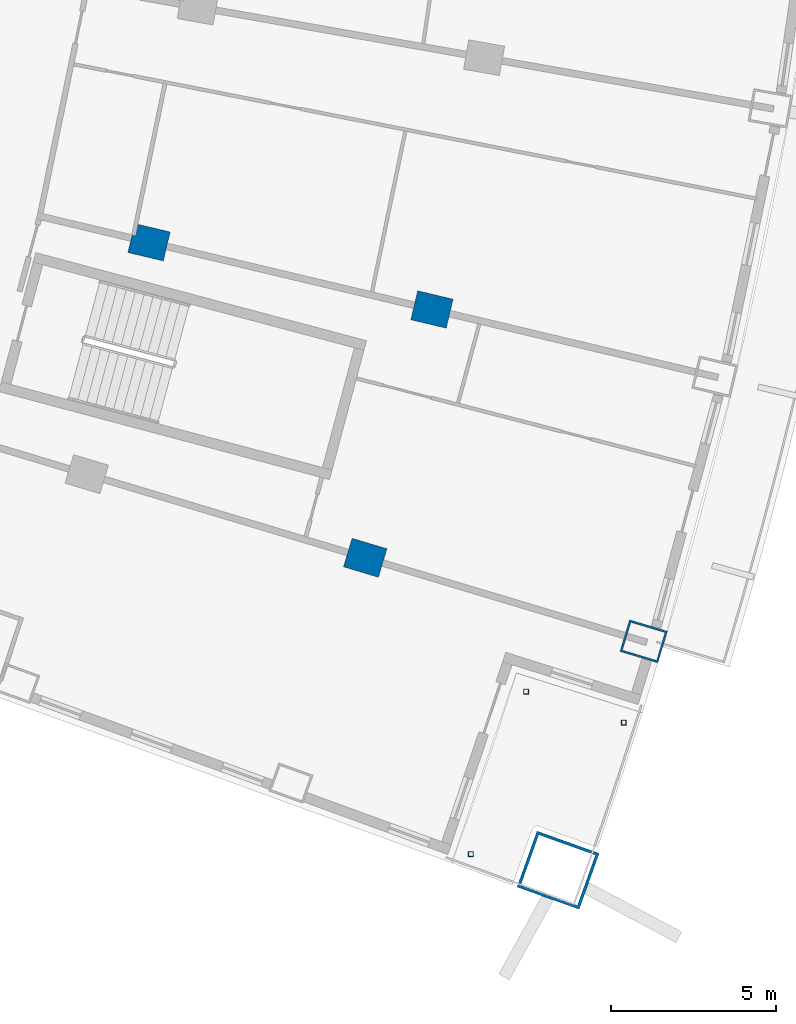
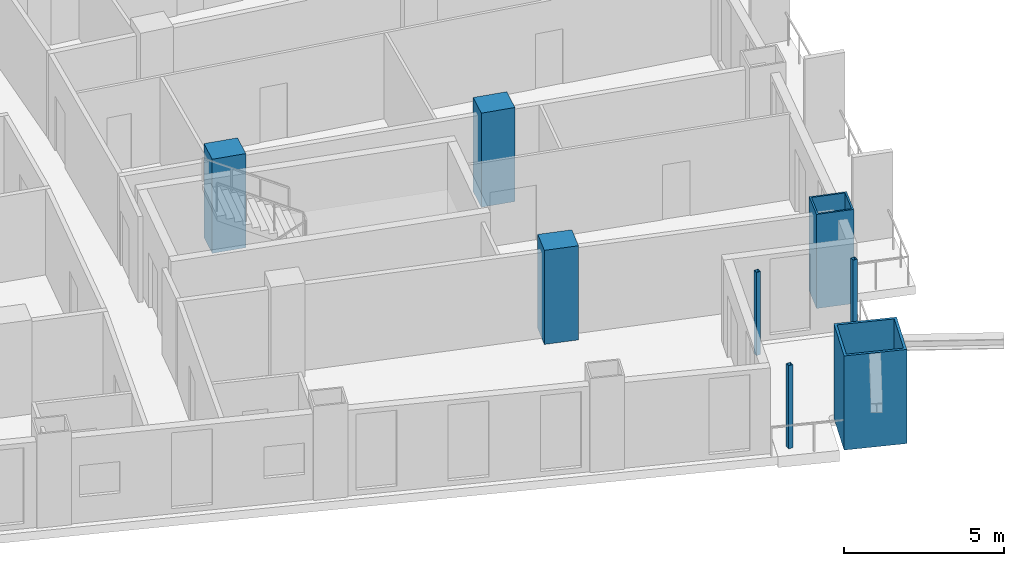
# One storey, part 4 of 23: 8 columns.
"""IFC4 building model written with IfcOpenShell, lengths in metres."""

import ifcopenshell
import ifcopenshell.guid

model = None  # the IFC model being written
_history = None  # IfcOwnerHistory: only IFC2X3 demands one
_inside = {}  # id of a spatial element -> (the spatial element, [elements in it])
_under = {}  # id of a project, library or spatial element -> (it, [spatial elements below it])
_declared = {}  # id of a project -> (the project, [libraries it declares])
_typed = {}  # id of a type object -> (the type object, [elements of that type])
_made_of = {}  # id of a material, layer set ... -> (it, [elements and type objects made of it])


def new_model(schema):
    """Start an empty IFC model of exactly this schema.

    Asked for "IFC4X3", IfcOpenShell would pick the latest addendum, in which some entities
    have other attributes; the version numbers below select the first issue.
    IFC2X3 requires an IfcOwnerHistory on every rooted entity: one is made here for all.
    """
    global model, _history
    if schema == "IFC4X3":
        model = ifcopenshell.file(schema_version=(4, 3, 0, 0))
    else:
        model = ifcopenshell.file(schema=schema)
    _inside.clear()
    _under.clear()
    _declared.clear()
    _typed.clear()
    _made_of.clear()
    _history = None
    if model.schema == "IFC2X3":
        org = make("IfcOrganization", Name="unknown")
        user = make(
            "IfcPersonAndOrganization",
            ThePerson=make("IfcPerson", FamilyName="unknown"),
            TheOrganization=org,
        )
        app = make(
            "IfcApplication",
            ApplicationDeveloper=org,
            Version="unknown",
            ApplicationFullName="unknown",
            ApplicationIdentifier="unknown",
        )
        _history = make(
            "IfcOwnerHistory",
            OwningUser=user,
            OwningApplication=app,
            ChangeAction="ADDED",
            CreationDate=0,
        )
    return model


def make(cls, **values):
    """One entity of the class cls with the attributes given. An attribute that is None is left unset."""
    return model.create_entity(
        cls, **{name: value for name, value in values.items() if value is not None}
    )


def rooted(cls, **values):
    """An entity with a GlobalId (a new one), such as an element, a storey or a relation."""
    return make(cls, GlobalId=ifcopenshell.guid.new(), OwnerHistory=_history, **values)


def si_unit(unit_type, name, prefix=None):
    """IfcSIUnit, for example si_unit("LENGTHUNIT", "METRE", prefix="MILLI")."""
    return make("IfcSIUnit", UnitType=unit_type, Prefix=prefix, Name=name)


def assignment(units):
    """IfcUnitAssignment: the units of a project."""
    return None if units is None else make("IfcUnitAssignment", Units=units)


def point(xyz):
    """IfcCartesianPoint."""
    return None if xyz is None else make("IfcCartesianPoint", Coordinates=xyz)


def direction(xyz):
    """IfcDirection."""
    return None if xyz is None else make("IfcDirection", DirectionRatios=xyz)


def frame(location, z_axis=None, x_axis=None):
    """IfcAxis2Placement3D, a coordinate frame: its origin and axes. An axis left out is left unset."""
    return make(
        "IfcAxis2Placement3D",
        Location=point(location),
        Axis=direction(z_axis),
        RefDirection=direction(x_axis),
    )


def frame_2d(location, x_axis=None):
    """IfcAxis2Placement2D, a coordinate frame in the plane: its origin and x axis."""
    return make(
        "IfcAxis2Placement2D", Location=point(location), RefDirection=direction(x_axis)
    )


def origin():
    """The frame at (0, 0, 0) with its axes left unset."""
    return frame((0.0, 0.0, 0.0))


def origin_2d():
    """The frame at (0, 0) in the plane with its x axis left unset."""
    return frame_2d((0.0, 0.0))


def place(relative_to, where):
    """IfcLocalPlacement: puts the frame where relative to a parent placement (None: the world)."""
    return make(
        "IfcLocalPlacement", PlacementRelTo=relative_to, RelativePlacement=where
    )


def context(
    kind, dimensions, precision=None, world=None, true_north=None, identifier=None
):
    """IfcGeometricRepresentationContext, for example the 3D "Model" context."""
    return make(
        "IfcGeometricRepresentationContext",
        ContextIdentifier=identifier,
        ContextType=kind,
        CoordinateSpaceDimension=dimensions,
        Precision=precision,
        WorldCoordinateSystem=world,
        TrueNorth=true_north,
    )


def subcontext(parent, identifier, kind, view, scale=None):
    """IfcGeometricRepresentationSubContext, for example "Body" below "Model"."""
    return make(
        "IfcGeometricRepresentationSubContext",
        ContextIdentifier=identifier,
        ContextType=kind,
        ParentContext=parent,
        TargetScale=scale,
        TargetView=view,
    )


def project(units=None, contexts=None):
    """IfcProject with its units and contexts."""
    return rooted(
        "IfcProject",
        Name="project",
        RepresentationContexts=contexts,
        UnitsInContext=assignment(units),
    )


def spatial(cls, under=None, at=None, **own):
    """A site, building, storey or space (cls), placed at a placement, below another one or the project."""
    s = rooted(cls, ObjectPlacement=at, **own)
    if under is not None:
        _under.setdefault(under.id(), (under, []))[1].append(s)
    return s


def profile(cls, at=None, kind="AREA", **sizes):
    """A parametric profile (cls). Its sizes go by their IFC names, for example OverallWidth=200.0."""
    return make(cls, ProfileType=kind, Position=at, **sizes)


def rectangle(**sizes):
    """IfcRectangleProfileDef."""
    return profile("IfcRectangleProfileDef", **sizes)


def hollow_rectangle(**sizes):
    """IfcRectangleHollowProfileDef."""
    return profile("IfcRectangleHollowProfileDef", **sizes)


def extrude(swept, where, along, depth):
    """IfcExtrudedAreaSolid: the profile swept, set in the frame where, extruded along a direction by depth."""
    return make(
        "IfcExtrudedAreaSolid",
        SweptArea=swept,
        Position=where,
        ExtrudedDirection=direction(along),
        Depth=depth,
    )


def shape(context_of_items, identifier, shape_type, items):
    """IfcShapeRepresentation: the items that make up one representation, for example the "Body"."""
    return make(
        "IfcShapeRepresentation",
        ContextOfItems=context_of_items,
        RepresentationIdentifier=identifier,
        RepresentationType=shape_type,
        Items=items,
    )


def material(Name=None, Category=None):
    """IfcMaterial."""
    return make("IfcMaterial", Name=Name, Category=Category)


def material_profile(
    of_material, cross_section, Name=None, Category=None, Priority=None
):
    """IfcMaterialProfile: a cross section and its material."""
    return make(
        "IfcMaterialProfile",
        Name=Name,
        Material=of_material,
        Profile=cross_section,
        Priority=Priority,
        Category=Category,
    )


def profile_set(profiles, Name=None, composite=None):
    """IfcMaterialProfileSet."""
    return make(
        "IfcMaterialProfileSet",
        Name=Name,
        MaterialProfiles=profiles,
        CompositeProfile=composite,
    )


def made_of(thing, what):
    """Note that an element or type object is made of a material, layer set ...; save() writes the relation."""
    if what is not None:
        _made_of.setdefault(what.id(), (what, []))[1].append(thing)
    return thing


def type_object(cls, material=None, **own):
    """A type object (cls), such as IfcWallType, which elements share."""
    return made_of(rooted(cls, **own), material)


def element(
    cls,
    number,
    at=None,
    inside=None,
    cuts=None,
    type_object=None,
    material=None,
    context=None,
    identifier="Body",
    shape_type=None,
    held_by="IfcProductDefinitionShape",
    body=None,
    shapes=None,
    **own,
):
    """One element of the class cls, such as IfcWall. Its Tag is "e" and its number.

    at: its placement. inside: the storey or other place that contains it. cuts: it is an
    opening in that element (IfcRelVoidsElement). A single representation is given by context,
    identifier, shape_type and body (its items); several are given by shapes. held_by: the class
    of the entity that holds the representations. save() writes the other relations.
    """
    e = rooted(cls, Tag="e%d" % number, ObjectPlacement=at, **own)
    if body is not None:
        shapes = [shape(context, identifier, shape_type, body)]
    if shapes is not None:
        e.Representation = make(held_by, Representations=shapes)
    if inside is not None:
        _inside.setdefault(inside.id(), (inside, []))[1].append(e)
    if cuts is not None:
        rooted(
            "IfcRelVoidsElement", RelatingBuildingElement=cuts, RelatedOpeningElement=e
        )
    if type_object is not None:
        _typed.setdefault(type_object.id(), (type_object, []))[1].append(e)
    return made_of(e, material)


def aggregate(whole, parts):
    """IfcRelAggregates: a whole, such as a stair, and the parts it consists of."""
    return rooted("IfcRelAggregates", RelatingObject=whole, RelatedObjects=parts)


def save(model, path):
    """Write the relations noted so far, then the file.

    IfcRelAggregates (storeys below a building ...), IfcRelContainedInSpatialStructure (elements
    in a storey), IfcRelDefinesByType, IfcRelAssociatesMaterial and IfcRelDeclares: one each for
    every whole, place, type object, material and project.
    """
    for whole, parts in _under.values():
        aggregate(whole, parts)
    for where, things in _inside.values():
        rooted(
            "IfcRelContainedInSpatialStructure",
            RelatedElements=things,
            RelatingStructure=where,
        )
    for kind, things in _typed.values():
        rooted("IfcRelDefinesByType", RelatedObjects=things, RelatingType=kind)
    for what, things in _made_of.values():
        rooted("IfcRelAssociatesMaterial", RelatedObjects=things, RelatingMaterial=what)
    for by, libraries in _declared.values():
        rooted("IfcRelDeclares", RelatingContext=by, RelatedDefinitions=libraries)
    model.write(path)


model = new_model("IFC4")

# Units and contexts
model_context = context("Model", 3, precision=1e-05, world=origin(), true_north=direction((0.0, 1.0)))
body_context = subcontext(model_context, "Body", "Model", "MODEL_VIEW")
ifc_project = project(units=[si_unit("LENGTHUNIT", "METRE"), si_unit("AREAUNIT", "SQUARE_METRE"), si_unit("VOLUMEUNIT", "CUBIC_METRE"), si_unit("PLANEANGLEUNIT", "RADIAN"), si_unit("MASSUNIT", "GRAM", prefix="KILO")], contexts=[model_context])

# Site, building, storey
site_placement = place(None, origin())
site = spatial("IfcSite", under=ifc_project, at=site_placement, CompositionType="ELEMENT")
building_placement = place(site_placement, origin())
building = spatial("IfcBuilding", under=site, at=building_placement, Name="Alderwake Tower", CompositionType="ELEMENT")
storey_placement = place(building_placement, frame((0.0, 0.0, 71.60009765625)))
storey = spatial("IfcBuildingStorey", under=building, at=storey_placement, Name="L17", CompositionType="ELEMENT", Elevation=71.60009765625)

# Columns
ifc_material_1 = material(Name="Concrete C70/85", Category="concrete")
ifc_material_profile_1 = material_profile(ifc_material_1, rectangle(XDim=0.89990234375, YDim=1.10009765625, at=origin_2d()), Name="RC 1100X900")
ifc_profile_set_1 = profile_set([ifc_material_profile_1], Name="Concrete C70/85")
column_type_1 = type_object("IfcColumnType", Name="Interior column Z1", PredefinedType="COLUMN", material=ifc_profile_set_1)
for number, where, z_axis, x_axis, name in (
    (1, (47.76611328125, 22.64111328125, 0.0), (0.0, 0.0, 1.0), (0.287549418125, 0.957765802342, 0.0), "Column R02-C4"),
    (2, (41.223388671875, 32.189697265625, 0.0), (0.0, 0.0, 1.0), (0.231221547198, 0.972901123502, 0.0), "Column R03-C3"),
    (3, (49.784912109375, 30.155029296875, 0.0), (0.0, 0.0, 1.0), (0.231221547198, 0.972901123502, 0.0), "Column R03-C4"),
):
    element("IfcColumn", number, at=place(storey_placement, frame(where, z_axis=z_axis, x_axis=x_axis)), inside=storey, type_object=column_type_1, Name=name, PredefinedType="COLUMN", context=body_context, shape_type="SweptSolid", body=[
        extrude(rectangle(XDim=0.89990234375, YDim=1.10009765625, at=origin_2d()), origin(), (0.0, 0.0, 1.0), 3.599853515625),
    ])
ifc_material_2 = material(Name="Steel ASTM A500 Grade C", Category="steel")
ifc_material_profile_2 = material_profile(ifc_material_2, hollow_rectangle(XDim=0.15234375, YDim=0.15234375, WallThickness=0.0087890625, at=origin_2d()), Name="HSS6X6X3/8")
ifc_profile_set_2 = profile_set([ifc_material_profile_2], Name="Steel ASTM A500 Grade C")
column_type_2 = type_object("IfcColumnType", Name="Light post HSS6X6X3/8", PredefinedType="COLUMN", material=ifc_profile_set_2)
for number, where, z_axis, x_axis, name in (
    (4, (55.590087890625, 17.65478515625, 0.0), (0.0, 0.0, 1.0), (1.0, 0.0, 0.0), "Terrace post FS1"),
    (5, (50.961181640625, 13.67431640625, 0.0), (0.0, 0.0, 1.0), (1.0, 0.0, 0.0), "Terrace post FS2"),
    (6, (52.634521484375, 18.58935546875, 0.0), (0.0, 0.0, 1.0), (1.0, 0.0, 0.0), "Terrace post FS3"),
):
    element("IfcColumn", number, at=place(storey_placement, frame(where, z_axis=z_axis, x_axis=x_axis)), inside=storey, type_object=column_type_2, Name=name, PredefinedType="COLUMN", context=body_context, shape_type="SweptSolid", body=[
        extrude(hollow_rectangle(XDim=0.15234375, YDim=0.15234375, WallThickness=0.0087890625, at=origin_2d()), origin(), (0.0, 0.0, 1.0), 3.179931640625),
    ])
ifc_material_3 = material(Name="Steel ASTM A572 Grade 50 concrete filled C70/85", Category="concrete")
ifc_material_profile_3 = material_profile(ifc_material_3, hollow_rectangle(XDim=1.800048828125, YDim=2.0, WallThickness=0.090087890625, at=origin_2d()), Name="BOX 2000X1800X90")
ifc_profile_set_3 = profile_set([ifc_material_profile_3], Name="Steel ASTM A572 Grade 50 concrete filled C70/85")
column_type_3 = type_object("IfcColumnType", Name="Mega column Z1", PredefinedType="COLUMN", material=ifc_profile_set_3)
column_1_placement = place(storey_placement, frame((53.602294921875, 13.1875, 0.0), z_axis=(0.0, 0.0, 1.0), x_axis=(0.336945725149, 0.941524072079, 0.0)))
element("IfcColumn", 7, at=column_1_placement, inside=storey, type_object=column_type_3, Name="Column R01-C5", PredefinedType="COLUMN", context=body_context, shape_type="SweptSolid", body=[
    extrude(hollow_rectangle(XDim=1.800048828125, YDim=2.0, WallThickness=0.090087890625, at=origin_2d()), origin(), (0.0, 0.0, 1.0), 3.599853515625),
])
ifc_material_4 = material(Name="Steel ASTM A572 Grade 50 concrete filled C70/85", Category="concrete")
ifc_material_profile_4 = material_profile(ifc_material_4, hollow_rectangle(XDim=1.0, YDim=1.199951171875, WallThickness=0.06005859375, at=origin_2d()), Name="BOX 1200X1000X60")
ifc_profile_set_4 = profile_set([ifc_material_profile_4], Name="Steel ASTM A572 Grade 50 concrete filled C70/85")
column_type_4 = type_object("IfcColumnType", Name="Perimeter column Z1", PredefinedType="COLUMN", material=ifc_profile_set_4)
column_2_placement = place(storey_placement, frame((56.1943359375, 20.110595703125, 0.0), z_axis=(0.0, 0.0, 1.0), x_axis=(0.287549418125, 0.957765802342, 0.0)))
element("IfcColumn", 8, at=column_2_placement, inside=storey, type_object=column_type_4, Name="Column R02-C5", PredefinedType="COLUMN", context=body_context, shape_type="SweptSolid", body=[
    extrude(hollow_rectangle(XDim=1.0, YDim=1.199951171875, WallThickness=0.06005859375, at=origin_2d()), origin(), (0.0, 0.0, 1.0), 3.599853515625),
])

save(model, "model.ifc")
